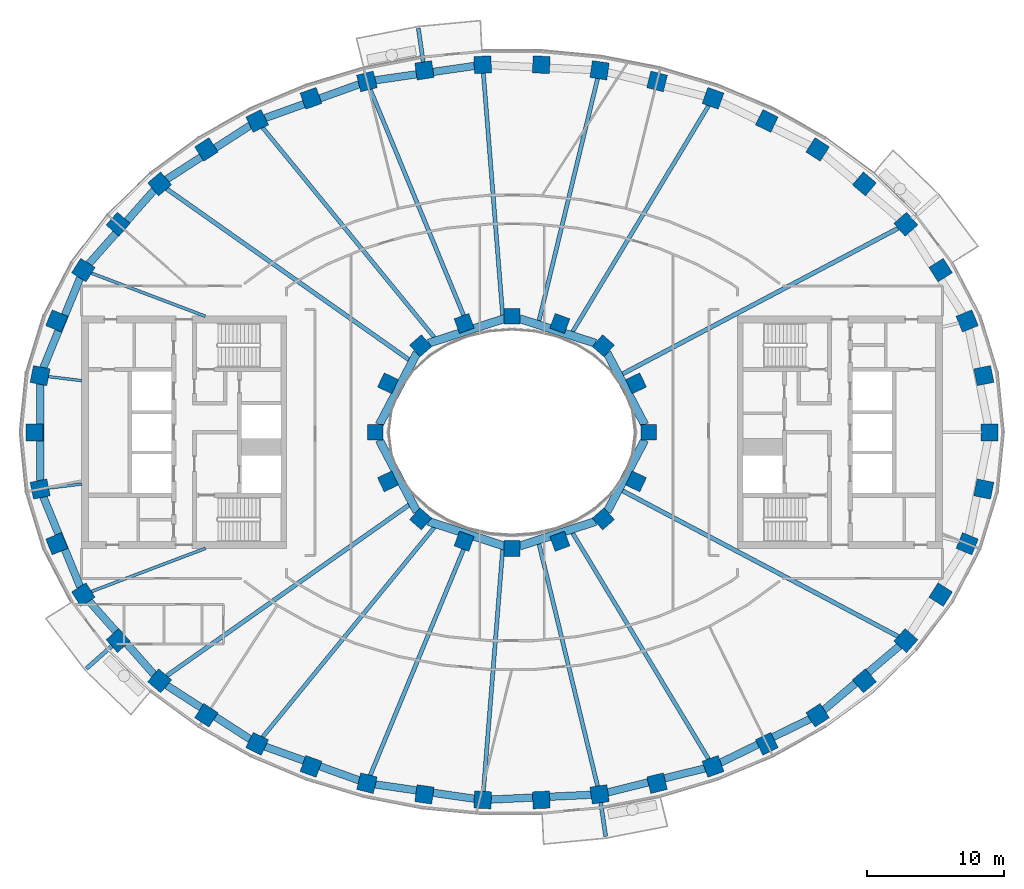
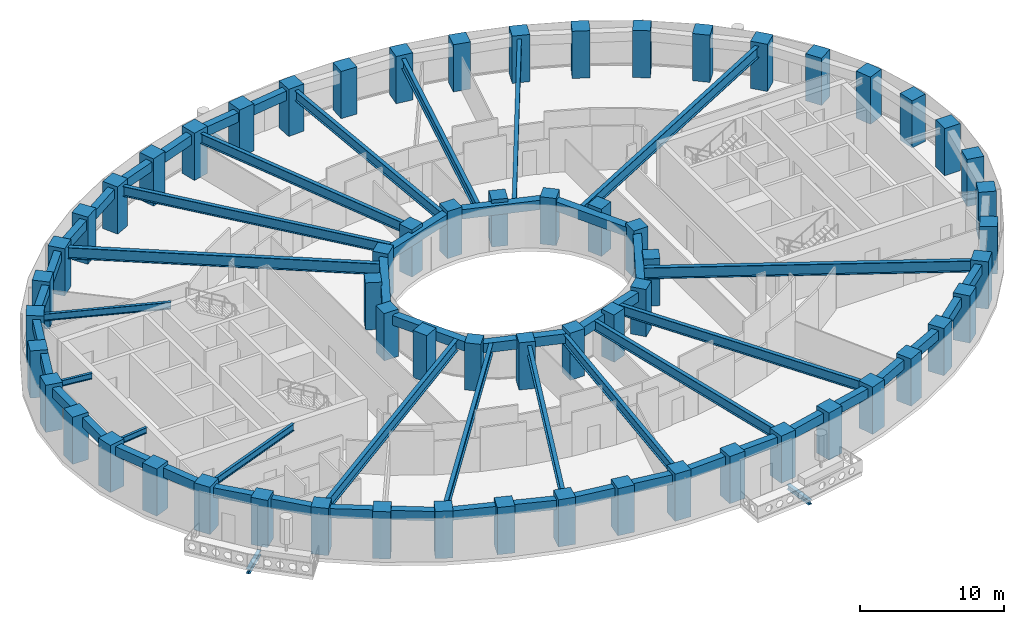
# One storey, part 1 of 16: 62 columns, 44 beams.
"""IFC4 building model written with IfcOpenShell, lengths in metres."""

import ifcopenshell
import ifcopenshell.guid

model = None  # the IFC model being written
_history = None  # IfcOwnerHistory: only IFC2X3 demands one
_inside = {}  # id of a spatial element -> (the spatial element, [elements in it])
_under = {}  # id of a project, library or spatial element -> (it, [spatial elements below it])
_declared = {}  # id of a project -> (the project, [libraries it declares])
_typed = {}  # id of a type object -> (the type object, [elements of that type])
_made_of = {}  # id of a material, layer set ... -> (it, [elements and type objects made of it])


def new_model(schema):
    """Start an empty IFC model of exactly this schema.

    Asked for "IFC4X3", IfcOpenShell would pick the latest addendum, in which some entities
    have other attributes; the version numbers below select the first issue.
    IFC2X3 requires an IfcOwnerHistory on every rooted entity: one is made here for all.
    """
    global model, _history
    if schema == "IFC4X3":
        model = ifcopenshell.file(schema_version=(4, 3, 0, 0))
    else:
        model = ifcopenshell.file(schema=schema)
    _inside.clear()
    _under.clear()
    _declared.clear()
    _typed.clear()
    _made_of.clear()
    _history = None
    if model.schema == "IFC2X3":
        org = make("IfcOrganization", Name="unknown")
        user = make(
            "IfcPersonAndOrganization",
            ThePerson=make("IfcPerson", FamilyName="unknown"),
            TheOrganization=org,
        )
        app = make(
            "IfcApplication",
            ApplicationDeveloper=org,
            Version="unknown",
            ApplicationFullName="unknown",
            ApplicationIdentifier="unknown",
        )
        _history = make(
            "IfcOwnerHistory",
            OwningUser=user,
            OwningApplication=app,
            ChangeAction="ADDED",
            CreationDate=0,
        )
    return model


def make(cls, **values):
    """One entity of the class cls with the attributes given. An attribute that is None is left unset."""
    return model.create_entity(
        cls, **{name: value for name, value in values.items() if value is not None}
    )


def rooted(cls, **values):
    """An entity with a GlobalId (a new one), such as an element, a storey or a relation."""
    return make(cls, GlobalId=ifcopenshell.guid.new(), OwnerHistory=_history, **values)


def si_unit(unit_type, name, prefix=None):
    """IfcSIUnit, for example si_unit("LENGTHUNIT", "METRE", prefix="MILLI")."""
    return make("IfcSIUnit", UnitType=unit_type, Prefix=prefix, Name=name)


def assignment(units):
    """IfcUnitAssignment: the units of a project."""
    return None if units is None else make("IfcUnitAssignment", Units=units)


def point(xyz):
    """IfcCartesianPoint."""
    return None if xyz is None else make("IfcCartesianPoint", Coordinates=xyz)


def direction(xyz):
    """IfcDirection."""
    return None if xyz is None else make("IfcDirection", DirectionRatios=xyz)


def frame(location, z_axis=None, x_axis=None):
    """IfcAxis2Placement3D, a coordinate frame: its origin and axes. An axis left out is left unset."""
    return make(
        "IfcAxis2Placement3D",
        Location=point(location),
        Axis=direction(z_axis),
        RefDirection=direction(x_axis),
    )


def frame_2d(location, x_axis=None):
    """IfcAxis2Placement2D, a coordinate frame in the plane: its origin and x axis."""
    return make(
        "IfcAxis2Placement2D", Location=point(location), RefDirection=direction(x_axis)
    )


def origin():
    """The frame at (0, 0, 0) with its axes left unset."""
    return frame((0.0, 0.0, 0.0))


def origin_2d():
    """The frame at (0, 0) in the plane with its x axis left unset."""
    return frame_2d((0.0, 0.0))


def place(relative_to, where):
    """IfcLocalPlacement: puts the frame where relative to a parent placement (None: the world)."""
    return make(
        "IfcLocalPlacement", PlacementRelTo=relative_to, RelativePlacement=where
    )


def context(
    kind, dimensions, precision=None, world=None, true_north=None, identifier=None
):
    """IfcGeometricRepresentationContext, for example the 3D "Model" context."""
    return make(
        "IfcGeometricRepresentationContext",
        ContextIdentifier=identifier,
        ContextType=kind,
        CoordinateSpaceDimension=dimensions,
        Precision=precision,
        WorldCoordinateSystem=world,
        TrueNorth=true_north,
    )


def subcontext(parent, identifier, kind, view, scale=None):
    """IfcGeometricRepresentationSubContext, for example "Body" below "Model"."""
    return make(
        "IfcGeometricRepresentationSubContext",
        ContextIdentifier=identifier,
        ContextType=kind,
        ParentContext=parent,
        TargetScale=scale,
        TargetView=view,
    )


def project(units=None, contexts=None):
    """IfcProject with its units and contexts."""
    return rooted(
        "IfcProject",
        Name="project",
        RepresentationContexts=contexts,
        UnitsInContext=assignment(units),
    )


def spatial(cls, under=None, at=None, **own):
    """A site, building, storey or space (cls), placed at a placement, below another one or the project."""
    s = rooted(cls, ObjectPlacement=at, **own)
    if under is not None:
        _under.setdefault(under.id(), (under, []))[1].append(s)
    return s


def profile(cls, at=None, kind="AREA", **sizes):
    """A parametric profile (cls). Its sizes go by their IFC names, for example OverallWidth=200.0."""
    return make(cls, ProfileType=kind, Position=at, **sizes)


def rectangle(**sizes):
    """IfcRectangleProfileDef."""
    return profile("IfcRectangleProfileDef", **sizes)


def i_section(**sizes):
    """IfcIShapeProfileDef."""
    return profile("IfcIShapeProfileDef", **sizes)


def extrude(swept, where, along, depth):
    """IfcExtrudedAreaSolid: the profile swept, set in the frame where, extruded along a direction by depth."""
    return make(
        "IfcExtrudedAreaSolid",
        SweptArea=swept,
        Position=where,
        ExtrudedDirection=direction(along),
        Depth=depth,
    )


def shape(context_of_items, identifier, shape_type, items):
    """IfcShapeRepresentation: the items that make up one representation, for example the "Body"."""
    return make(
        "IfcShapeRepresentation",
        ContextOfItems=context_of_items,
        RepresentationIdentifier=identifier,
        RepresentationType=shape_type,
        Items=items,
    )


def material(Name=None, Category=None):
    """IfcMaterial."""
    return make("IfcMaterial", Name=Name, Category=Category)


def material_profile(
    of_material, cross_section, Name=None, Category=None, Priority=None
):
    """IfcMaterialProfile: a cross section and its material."""
    return make(
        "IfcMaterialProfile",
        Name=Name,
        Material=of_material,
        Profile=cross_section,
        Priority=Priority,
        Category=Category,
    )


def profile_set(profiles, Name=None, composite=None):
    """IfcMaterialProfileSet."""
    return make(
        "IfcMaterialProfileSet",
        Name=Name,
        MaterialProfiles=profiles,
        CompositeProfile=composite,
    )


def made_of(thing, what):
    """Note that an element or type object is made of a material, layer set ...; save() writes the relation."""
    if what is not None:
        _made_of.setdefault(what.id(), (what, []))[1].append(thing)
    return thing


def type_object(cls, material=None, **own):
    """A type object (cls), such as IfcWallType, which elements share."""
    return made_of(rooted(cls, **own), material)


def element(
    cls,
    number,
    at=None,
    inside=None,
    cuts=None,
    type_object=None,
    material=None,
    context=None,
    identifier="Body",
    shape_type=None,
    held_by="IfcProductDefinitionShape",
    body=None,
    shapes=None,
    **own,
):
    """One element of the class cls, such as IfcWall. Its Tag is "e" and its number.

    at: its placement. inside: the storey or other place that contains it. cuts: it is an
    opening in that element (IfcRelVoidsElement). A single representation is given by context,
    identifier, shape_type and body (its items); several are given by shapes. held_by: the class
    of the entity that holds the representations. save() writes the other relations.
    """
    e = rooted(cls, Tag="e%d" % number, ObjectPlacement=at, **own)
    if body is not None:
        shapes = [shape(context, identifier, shape_type, body)]
    if shapes is not None:
        e.Representation = make(held_by, Representations=shapes)
    if inside is not None:
        _inside.setdefault(inside.id(), (inside, []))[1].append(e)
    if cuts is not None:
        rooted(
            "IfcRelVoidsElement", RelatingBuildingElement=cuts, RelatedOpeningElement=e
        )
    if type_object is not None:
        _typed.setdefault(type_object.id(), (type_object, []))[1].append(e)
    return made_of(e, material)


def aggregate(whole, parts):
    """IfcRelAggregates: a whole, such as a stair, and the parts it consists of."""
    return rooted("IfcRelAggregates", RelatingObject=whole, RelatedObjects=parts)


def save(model, path):
    """Write the relations noted so far, then the file.

    IfcRelAggregates (storeys below a building ...), IfcRelContainedInSpatialStructure (elements
    in a storey), IfcRelDefinesByType, IfcRelAssociatesMaterial and IfcRelDeclares: one each for
    every whole, place, type object, material and project.
    """
    for whole, parts in _under.values():
        aggregate(whole, parts)
    for where, things in _inside.values():
        rooted(
            "IfcRelContainedInSpatialStructure",
            RelatedElements=things,
            RelatingStructure=where,
        )
    for kind, things in _typed.values():
        rooted("IfcRelDefinesByType", RelatedObjects=things, RelatingType=kind)
    for what, things in _made_of.values():
        rooted("IfcRelAssociatesMaterial", RelatedObjects=things, RelatingMaterial=what)
    for by, libraries in _declared.values():
        rooted("IfcRelDeclares", RelatingContext=by, RelatedDefinitions=libraries)
    model.write(path)


model = new_model("IFC4")

# Units and contexts
model_context = context("Model", 3, precision=1e-05, world=origin(), true_north=direction((0.0, 1.0)))
body_context = subcontext(model_context, "Body", "Model", "MODEL_VIEW")
ifc_project = project(units=[si_unit("LENGTHUNIT", "METRE"), si_unit("AREAUNIT", "SQUARE_METRE"), si_unit("VOLUMEUNIT", "CUBIC_METRE"), si_unit("PLANEANGLEUNIT", "RADIAN"), si_unit("MASSUNIT", "GRAM", prefix="KILO")], contexts=[model_context])

# Site, building, storey
site_placement = place(None, origin())
site = spatial("IfcSite", under=ifc_project, at=site_placement, CompositionType="ELEMENT")
building_placement = place(site_placement, origin())
building = spatial("IfcBuilding", under=site, at=building_placement, Name="Noorbagh Ring Tower", CompositionType="ELEMENT")
storey_placement = place(building_placement, frame((0.0, 0.0, 132.0)))
storey = spatial("IfcBuildingStorey", under=building, at=storey_placement, Name="L30", CompositionType="ELEMENT", Elevation=132.0)

# Columns
ifc_material_1 = material(Name="Concrete C60/75", Category="concrete")
ifc_material_profile_1 = material_profile(ifc_material_1, rectangle(XDim=1.25, YDim=1.25, at=origin_2d()), Name="RC1250x1250")
ifc_profile_set_1 = profile_set([ifc_material_profile_1], Name="Concrete C60/75")
column_type_1 = type_object("IfcColumnType", Name="STR-COL-RC1250x1250-C60-75", PredefinedType="COLUMN", material=ifc_profile_set_1)
for number, where, z_axis, x_axis, name in (
    (1, (34.944580078125, 0.0, 0.0), (0.0, 0.0, 1.0), (0.0, 1.0, 0.0), "L30/col/R1-01"),
    (2, (34.52685546875, 4.150634765625, 0.0), (0.0, 0.0, 1.0), (-0.19723040178, 0.9803571638, 0.0), "L30/col/R1-02"),
    (3, (33.30517578125, 8.1494140625, 0.0), (0.0, 0.0, 1.0), (-0.378989499959, 0.925400971969, 0.0), "L30/col/R1-03"),
    (4, (31.364990234375, 11.87109375, 0.0), (0.0, 0.0, 1.0), (-0.535190403059, 0.844731455833, 0.0), "L30/col/R1-04"),
    (5, (28.81884765625, 15.23046875, 0.0), (0.0, 0.0, 1.0), (-0.662635642662, 0.748941923699, 0.0), "L30/col/R1-05"),
    (6, (25.78271484375, 18.180419921875, 0.0), (0.0, 0.0, 1.0), (-0.763035199656, 0.646356932419, 0.0), "L30/col/R1-06"),
    (7, (22.362060546875, 20.699951171875, 0.0), (0.0, 0.0, 1.0), (-0.840247639643, 0.542202825586, 0.0), "L30/col/R1-07"),
    (8, (18.646240234375, 22.785400390625, 0.0), (0.0, 0.0, 1.0), (-0.898399080868, 0.439180021741, 0.0), "L30/col/R1-08"),
    (9, (14.70947265625, 24.44091796875, 0.0), (0.0, 0.0, 1.0), (-0.941024726094, 0.338337797003, 0.0), "L30/col/R1-09"),
    (10, (10.61328125, 25.673583984375, 0.0), (0.0, 0.0, 1.0), (-0.970829360981, 0.239771457553, 0.0), "L30/col/R1-10"),
    (11, (6.4091796875, 26.49072265625, 0.0), (0.0, 0.0, 1.0), (-0.989713114048, 0.143066249975, 0.0), "L30/col/R1-11"),
    (12, (2.14306640625, 26.89794921875, 0.0), (0.0, 0.0, 1.0), (-0.998868731212, 0.047552684538, 0.0), "L30/col/R1-12"),
    (13, (-2.14306640625, 26.89794921875, 0.0), (0.0, 0.0, 1.0), (-0.998868731212, -0.047552684538, 0.0), "L30/col/R1-13"),
    (14, (-6.4091796875, 26.49072265625, 0.0), (0.0, 0.0, 1.0), (-0.989713114048, -0.143066249975, 0.0), "L30/col/R1-14"),
    (15, (-10.61328125, 25.673583984375, 0.0), (0.0, 0.0, 1.0), (-0.970829360981, -0.239771457553, 0.0), "L30/col/R1-15"),
    (16, (-14.70947265625, 24.44091796875, 0.0), (0.0, 0.0, 1.0), (-0.941024726094, -0.338337797003, 0.0), "L30/col/R1-16"),
    (17, (-18.646240234375, 22.785400390625, 0.0), (0.0, 0.0, 1.0), (-0.898399080868, -0.439180021741, 0.0), "L30/col/R1-17"),
    (18, (-22.362060546875, 20.699951171875, 0.0), (0.0, 0.0, 1.0), (-0.840247639643, -0.542202825586, 0.0), "L30/col/R1-18"),
    (19, (-25.78271484375, 18.180419921875, 0.0), (0.0, 0.0, 1.0), (-0.763035199656, -0.646356932419, 0.0), "L30/col/R1-19"),
    (20, (-28.81884765625, 15.23046875, 0.0), (0.0, 0.0, 1.0), (-0.662635642662, -0.748941923699, 0.0), "L30/col/R1-20"),
    (21, (-31.364990234375, 11.87109375, 0.0), (0.0, 0.0, 1.0), (-0.535190403059, -0.844731455833, 0.0), "L30/col/R1-21"),
    (22, (-33.30517578125, 8.1494140625, 0.0), (0.0, 0.0, 1.0), (-0.378989499959, -0.925400971969, 0.0), "L30/col/R1-22"),
    (23, (-34.52685546875, 4.150634765625, 0.0), (0.0, 0.0, 1.0), (-0.19723040178, -0.9803571638, 0.0), "L30/col/R1-23"),
    (24, (-34.944580078125, 0.0, 0.0), (0.0, 0.0, 1.0), (0.0, -1.0, 0.0), "L30/col/R1-24"),
    (25, (-34.52685546875, -4.150634765625, 0.0), (0.0, 0.0, 1.0), (0.19723040178, -0.9803571638, 0.0), "L30/col/R1-25"),
    (26, (-33.30517578125, -8.1494140625, 0.0), (0.0, 0.0, 1.0), (0.378989499959, -0.925400971969, 0.0), "L30/col/R1-26"),
    (27, (-31.364990234375, -11.87109375, 0.0), (0.0, 0.0, 1.0), (0.535190403059, -0.844731455833, 0.0), "L30/col/R1-27"),
    (28, (-28.81884765625, -15.23046875, 0.0), (0.0, 0.0, 1.0), (0.662635642662, -0.748941923699, 0.0), "L30/col/R1-28"),
    (29, (-25.78271484375, -18.180419921875, 0.0), (0.0, 0.0, 1.0), (0.763035199656, -0.646356932419, 0.0), "L30/col/R1-29"),
    (30, (-22.362060546875, -20.699951171875, 0.0), (0.0, 0.0, 1.0), (0.840247639643, -0.542202825586, 0.0), "L30/col/R1-30"),
    (31, (-18.646240234375, -22.785400390625, 0.0), (0.0, 0.0, 1.0), (0.898399080868, -0.439180021741, 0.0), "L30/col/R1-31"),
    (32, (-14.70947265625, -24.44091796875, 0.0), (0.0, 0.0, 1.0), (0.941024726094, -0.338337797003, 0.0), "L30/col/R1-32"),
    (33, (-10.61328125, -25.673583984375, 0.0), (0.0, 0.0, 1.0), (0.970829360981, -0.239771457553, 0.0), "L30/col/R1-33"),
    (34, (-6.4091796875, -26.49072265625, 0.0), (0.0, 0.0, 1.0), (0.989713114048, -0.143066249975, 0.0), "L30/col/R1-34"),
    (35, (-2.14306640625, -26.89794921875, 0.0), (0.0, 0.0, 1.0), (0.998868731212, -0.047552684538, 0.0), "L30/col/R1-35"),
    (36, (2.14306640625, -26.89794921875, 0.0), (0.0, 0.0, 1.0), (0.998868731212, 0.047552684538, 0.0), "L30/col/R1-36"),
    (37, (6.4091796875, -26.49072265625, 0.0), (0.0, 0.0, 1.0), (0.989713114048, 0.143066249975, 0.0), "L30/col/R1-37"),
    (38, (10.61328125, -25.673583984375, 0.0), (0.0, 0.0, 1.0), (0.970829360981, 0.239771457553, 0.0), "L30/col/R1-38"),
    (39, (14.70947265625, -24.44091796875, 0.0), (0.0, 0.0, 1.0), (0.941024726094, 0.338337797003, 0.0), "L30/col/R1-39"),
    (40, (18.646240234375, -22.785400390625, 0.0), (0.0, 0.0, 1.0), (0.898399080868, 0.439180021741, 0.0), "L30/col/R1-40"),
    (41, (22.362060546875, -20.699951171875, 0.0), (0.0, 0.0, 1.0), (0.840247639643, 0.542202825586, 0.0), "L30/col/R1-41"),
    (42, (25.78271484375, -18.180419921875, 0.0), (0.0, 0.0, 1.0), (0.763035199656, 0.646356932419, 0.0), "L30/col/R1-42"),
    (43, (28.81884765625, -15.23046875, 0.0), (0.0, 0.0, 1.0), (0.662635642662, 0.748941923699, 0.0), "L30/col/R1-43"),
    (44, (31.364990234375, -11.87109375, 0.0), (0.0, 0.0, 1.0), (0.535190403059, 0.844731455833, 0.0), "L30/col/R1-44"),
    (45, (33.30517578125, -8.1494140625, 0.0), (0.0, 0.0, 1.0), (0.378989499959, 0.925400971969, 0.0), "L30/col/R1-45"),
    (46, (34.52685546875, -4.150634765625, 0.0), (0.0, 0.0, 1.0), (0.19723040178, 0.9803571638, 0.0), "L30/col/R1-46"),
):
    element("IfcColumn", number, at=place(storey_placement, frame(where, z_axis=z_axis, x_axis=x_axis)), inside=storey, type_object=column_type_1, Name=name, PredefinedType="COLUMN", context=body_context, shape_type="SweptSolid", body=[
        extrude(rectangle(XDim=1.25, YDim=1.25, at=origin_2d()), origin(), (0.0, 0.0, 1.0), 4.0),
    ])
ifc_material_2 = material(Name="Concrete C60/75", Category="concrete")
ifc_material_profile_2 = material_profile(ifc_material_2, rectangle(XDim=1.14990234375, YDim=1.14990234375, at=origin_2d()), Name="RC1150x1150")
ifc_profile_set_2 = profile_set([ifc_material_profile_2], Name="Concrete C60/75")
column_type_2 = type_object("IfcColumnType", Name="STR-ICOL-RC1150x1150-C60-75", PredefinedType="COLUMN", material=ifc_profile_set_2)
for number, where, z_axis, x_axis, name in (
    (47, (10.00830078125, 0.0, 0.0), (0.0, 0.0, 1.0), (0.0, 1.0, 0.0), "L30/col/IR2-W01"),
    (48, (9.07568359375, 3.58837890625, 0.0), (0.0, 0.0, 1.0), (-0.428666979171, 0.903462573087, 0.0), "L30/col/IR2-W03"),
    (49, (6.68212890625, 6.333740234375, 0.0), (0.0, 0.0, 1.0), (-0.75102249095, 0.660276622399, 0.0), "L30/col/IR2-W05"),
    (50, (3.5009765625, 7.967041015625, 0.0), (0.0, 0.0, 1.0), (-0.939019578916, 0.343863679984, 0.0), "L30/col/IR2-W07"),
    (51, (0.0, 8.5029296875, 0.0), (0.0, 0.0, 1.0), (-1.0, 0.0, 0.0), "L30/col/IR2-W09"),
    (52, (-3.5009765625, 7.967041015625, 0.0), (0.0, 0.0, 1.0), (-0.939019578916, -0.343863679984, 0.0), "L30/col/IR2-W11"),
    (53, (-6.68212890625, 6.333740234375, 0.0), (0.0, 0.0, 1.0), (-0.75102249095, -0.660276622399, 0.0), "L30/col/IR2-W13"),
    (54, (-9.07568359375, 3.58837890625, 0.0), (0.0, 0.0, 1.0), (-0.428666979171, -0.903462573087, 0.0), "L30/col/IR2-W15"),
    (55, (-10.00830078125, 0.0, 0.0), (0.0, 0.0, 1.0), (0.0, -1.0, 0.0), "L30/col/IR2-W17"),
    (56, (-9.07568359375, -3.58837890625, 0.0), (0.0, 0.0, 1.0), (0.428666979171, -0.903462573087, 0.0), "L30/col/IR2-W19"),
    (57, (-6.68212890625, -6.333740234375, 0.0), (0.0, 0.0, 1.0), (0.75102249095, -0.660276622399, 0.0), "L30/col/IR2-W21"),
    (58, (-3.5009765625, -7.967041015625, 0.0), (0.0, 0.0, 1.0), (0.939019578916, -0.343863679984, 0.0), "L30/col/IR2-W23"),
    (59, (0.0, -8.5029296875, 0.0), (0.0, 0.0, 1.0), (1.0, 0.0, 0.0), "L30/col/IR2-W25"),
    (60, (3.5009765625, -7.967041015625, 0.0), (0.0, 0.0, 1.0), (0.939019578916, 0.343863679984, 0.0), "L30/col/IR2-W27"),
    (61, (6.68212890625, -6.333740234375, 0.0), (0.0, 0.0, 1.0), (0.75102249095, 0.660276622399, 0.0), "L30/col/IR2-W29"),
    (62, (9.07568359375, -3.58837890625, 0.0), (0.0, 0.0, 1.0), (0.428666979171, 0.903462573087, 0.0), "L30/col/IR2-W31"),
):
    element("IfcColumn", number, at=place(storey_placement, frame(where, z_axis=z_axis, x_axis=x_axis)), inside=storey, type_object=column_type_2, Name=name, PredefinedType="COLUMN", context=body_context, shape_type="SweptSolid", body=[
        extrude(rectangle(XDim=1.14990234375, YDim=1.14990234375, at=origin_2d()), origin(), (0.0, 0.0, 1.0), 4.0),
    ])

# Beams
ifc_material_3 = material(Name="Steel S355", Category="steel")
ifc_material_profile_3 = material_profile(ifc_material_3, i_section(OverallWidth=0.300048828125, OverallDepth=0.39990234375, WebThickness=0.013427734375, FlangeThickness=0.02392578125, FilletRadius=0.027099609375, at=origin_2d()), Name="HEB400")
ifc_profile_set_3 = profile_set([ifc_material_profile_3], Name="Steel S355")
beam_type_1 = type_object("IfcBeamType", Name="STR-BALCONY-BRACKET-HEB400", PredefinedType="BEAM", material=ifc_profile_set_3)
beam_1_placement = place(storey_placement, frame((-6.495849609375, 27.089599609375, -0.5), z_axis=(-0.143035199344, 0.98971760202, 0.0), x_axis=(-0.98971760202, -0.143035199344, 0.0)))
element("IfcBeam", 63, at=beam_1_placement, inside=storey, type_object=beam_type_1, Name="Balcony bracket beam BN04", PredefinedType="BEAM", context=body_context, shape_type="SweptSolid", body=[
    extrude(i_section(OverallWidth=0.300048828125, OverallDepth=0.39990234375, WebThickness=0.013427734375, FlangeThickness=0.02392578125, FilletRadius=0.027099609375, at=origin_2d()), origin(), (0.0, 0.0, 1.0), 2.498779296875),
])
beam_2_placement = place(storey_placement, frame((-29.27197265625, -15.63134765625, -0.5), z_axis=(-0.749063543205, -0.662498157161, 0.0), x_axis=(0.662498157161, -0.749063543205, 0.0)))
element("IfcBeam", 64, at=beam_2_placement, inside=storey, type_object=beam_type_1, Name="Balcony bracket beam BS01", PredefinedType="BEAM", context=body_context, shape_type="SweptSolid", body=[
    extrude(i_section(OverallWidth=0.300048828125, OverallDepth=0.39990234375, WebThickness=0.013427734375, FlangeThickness=0.02392578125, FilletRadius=0.027099609375, at=origin_2d()), origin(), (0.0, 0.0, 1.0), 2.50439453125),
])
beam_3_placement = place(storey_placement, frame((6.495849609375, -27.089599609375, -0.5), z_axis=(0.143035199344, -0.98971760202, 0.0), x_axis=(0.98971760202, 0.143035199344, 0.0)))
element("IfcBeam", 65, at=beam_3_placement, inside=storey, type_object=beam_type_1, Name="Balcony bracket beam BS04", PredefinedType="BEAM", context=body_context, shape_type="SweptSolid", body=[
    extrude(i_section(OverallWidth=0.300048828125, OverallDepth=0.39990234375, WebThickness=0.013427734375, FlangeThickness=0.02392578125, FilletRadius=0.027099609375, at=origin_2d()), origin(), (0.0, 0.0, 1.0), 2.498779296875),
])
ifc_material_4 = material(Name="Steel S355", Category="steel")
ifc_material_profile_4 = material_profile(ifc_material_4, i_section(OverallWidth=0.199951171875, OverallDepth=0.5, WebThickness=0.01025390625, FlangeThickness=0.01611328125, FilletRadius=0.02099609375, at=origin_2d()), Name="IPE500")
ifc_profile_set_4 = profile_set([ifc_material_profile_4], Name="Steel S355")
beam_type_2 = type_object("IfcBeamType", Name="STR-RAD-IPE500", PredefinedType="BEAM", material=ifc_profile_set_4)
for number, where, z_axis, x_axis, name in (
    (66, (-33.924072265625, 4.078125, 3.449951171875), (0.992855702759, -0.119321219822, 0.0), (0.119321219822, 0.992855702759, 0.0), "L30/bm/RD23"),
    (67, (-33.924072265625, -4.078125, 3.449951171875), (0.992855702759, 0.119321219822, 0.0), (-0.119321219822, 0.992855702759, 0.0), "L30/bm/RD25"),
):
    element("IfcBeam", number, at=place(storey_placement, frame(where, z_axis=z_axis, x_axis=x_axis)), inside=storey, type_object=beam_type_2, Name=name, PredefinedType="BEAM", context=body_context, shape_type="SweptSolid", body=[
        extrude(i_section(OverallWidth=0.199951171875, OverallDepth=0.5, WebThickness=0.01025390625, FlangeThickness=0.01611328125, FilletRadius=0.02099609375, at=origin_2d()), origin(), (0.0, 0.0, 1.0), 2.46142578125),
    ])
ifc_material_5 = material(Name="Steel S355", Category="steel")
ifc_material_profile_5 = material_profile(ifc_material_5, i_section(OverallWidth=0.219970703125, OverallDepth=0.60009765625, WebThickness=0.011962890625, FlangeThickness=0.01904296875, FilletRadius=0.02392578125, at=origin_2d()), Name="IPE600")
ifc_profile_set_5 = profile_set([ifc_material_profile_5], Name="Steel S355")
beam_type_3 = type_object("IfcBeamType", Name="STR-RAD-IPE600", PredefinedType="BEAM", material=ifc_profile_set_5)
for number, where, z_axis, x_axis, name in (
    (68, (-30.786865234375, 11.652099609375, 3.39990234375), (0.935256889456, -0.353969703117, 0.0), (0.353969703117, 0.935256889456, 0.0), "L30/bm/RD21"),
    (69, (-30.786865234375, -11.652099609375, 3.39990234375), (0.935256889456, 0.353969703117, 0.0), (-0.353969703117, 0.935256889456, 0.0), "L30/bm/RD27"),
):
    element("IfcBeam", number, at=place(storey_placement, frame(where, z_axis=z_axis, x_axis=x_axis)), inside=storey, type_object=beam_type_3, Name=name, PredefinedType="BEAM", context=body_context, shape_type="SweptSolid", body=[
        extrude(i_section(OverallWidth=0.219970703125, OverallDepth=0.60009765625, WebThickness=0.011962890625, FlangeThickness=0.01904296875, FilletRadius=0.02392578125, at=origin_2d()), origin(), (0.0, 0.0, 1.0), 8.925048828125),
    ])
ifc_material_6 = material(Name="Steel S355", Category="steel")
ifc_material_profile_6 = material_profile(ifc_material_6, i_section(OverallWidth=0.300048828125, OverallDepth=0.85009765625, WebThickness=0.013916015625, FlangeThickness=0.028076171875, at=origin_2d()), Name="PG850x300x14x28")
ifc_profile_set_6 = profile_set([ifc_material_profile_6], Name="Steel S355")
beam_type_4 = type_object("IfcBeamType", Name="STR-RAD-PG850x300x14x28", PredefinedType="BEAM", material=ifc_profile_set_6)
beam_4_placement = place(storey_placement, frame((14.39111328125, 23.912109375, 3.27490234375), z_axis=(-0.515649393851, -0.856799686403, 0.0), x_axis=(0.856799686403, -0.515649393851, 0.0)))
element("IfcBeam", 70, at=beam_4_placement, inside=storey, type_object=beam_type_4, Name="L30/bm/RD09", PredefinedType="BEAM", context=body_context, shape_type="SweptSolid", body=[
    extrude(i_section(OverallWidth=0.300048828125, OverallDepth=0.85009765625, WebThickness=0.013916015625, FlangeThickness=0.028076171875, at=origin_2d()), origin(), (0.0, 0.0, 1.0), 19.318603515625),
])
beam_5_placement = place(storey_placement, frame((6.266357421875, 25.900146484375, 3.27490234375), z_axis=(-0.235162116431, -0.971956161046, 0.0), x_axis=(0.971956161046, -0.235162116431, 0.0)))
element("IfcBeam", 71, at=beam_5_placement, inside=storey, type_object=beam_type_4, Name="L30/bm/RD11", PredefinedType="BEAM", context=body_context, shape_type="SweptSolid", body=[
    extrude(i_section(OverallWidth=0.300048828125, OverallDepth=0.85009765625, WebThickness=0.013916015625, FlangeThickness=0.028076171875, at=origin_2d()), origin(), (0.0, 0.0, 1.0), 18.25537109375),
])
beam_6_placement = place(storey_placement, frame((-2.09521484375, 26.294677734375, 3.27490234375), z_axis=(0.079430227558, -0.996840428027, 0.0), x_axis=(0.996840428027, 0.079430227558, 0.0)))
element("IfcBeam", 72, at=beam_6_placement, inside=storey, type_object=beam_type_4, Name="L30/bm/RD13", PredefinedType="BEAM", context=body_context, shape_type="SweptSolid", body=[
    extrude(i_section(OverallWidth=0.300048828125, OverallDepth=0.85009765625, WebThickness=0.013916015625, FlangeThickness=0.028076171875, at=origin_2d()), origin(), (0.0, 0.0, 1.0), 17.77490234375),
])
beam_7_placement = place(storey_placement, frame((-10.37939453125, 25.10791015625, 3.27490234375), z_axis=(0.382033251653, -0.924148578223, 0.0), x_axis=(0.924148578223, 0.382033251653, 0.0)))
element("IfcBeam", 73, at=beam_7_placement, inside=storey, type_object=beam_type_4, Name="L30/bm/RD15", PredefinedType="BEAM", context=body_context, shape_type="SweptSolid", body=[
    extrude(i_section(OverallWidth=0.300048828125, OverallDepth=0.85009765625, WebThickness=0.013916015625, FlangeThickness=0.028076171875, at=origin_2d()), origin(), (0.0, 0.0, 1.0), 18.775390625),
])
for number, where, z_axis, x_axis, name in (
    (74, (-18.252197265625, 22.303955078125, 3.27490234375), (0.633304807385, -0.773902462163, 0.0), (0.773902462163, 0.633304807385, 0.0), "L30/bm/RD17"),
    (75, (-18.252197265625, -22.303955078125, 3.27490234375), (0.633304807385, 0.773902462163, 0.0), (-0.773902462163, 0.633304807385, 0.0), "L30/bm/RD31"),
):
    element("IfcBeam", number, at=place(storey_placement, frame(where, z_axis=z_axis, x_axis=x_axis)), inside=storey, type_object=beam_type_4, Name=name, PredefinedType="BEAM", context=body_context, shape_type="SweptSolid", body=[
        extrude(i_section(OverallWidth=0.300048828125, OverallDepth=0.85009765625, WebThickness=0.013916015625, FlangeThickness=0.028076171875, at=origin_2d()), origin(), (0.0, 0.0, 1.0), 19.837158203125),
    ])
beam_8_placement = place(storey_placement, frame((-10.37939453125, -25.10791015625, 3.27490234375), z_axis=(0.382033251653, 0.924148578223, 0.0), x_axis=(-0.924148578223, 0.382033251653, 0.0)))
element("IfcBeam", 76, at=beam_8_placement, inside=storey, type_object=beam_type_4, Name="L30/bm/RD33", PredefinedType="BEAM", context=body_context, shape_type="SweptSolid", body=[
    extrude(i_section(OverallWidth=0.300048828125, OverallDepth=0.85009765625, WebThickness=0.013916015625, FlangeThickness=0.028076171875, at=origin_2d()), origin(), (0.0, 0.0, 1.0), 18.775390625),
])
beam_9_placement = place(storey_placement, frame((-2.09521484375, -26.294677734375, 3.27490234375), z_axis=(0.079430227558, 0.996840428027, 0.0), x_axis=(-0.996840428027, 0.079430227558, 0.0)))
element("IfcBeam", 77, at=beam_9_placement, inside=storey, type_object=beam_type_4, Name="L30/bm/RD35", PredefinedType="BEAM", context=body_context, shape_type="SweptSolid", body=[
    extrude(i_section(OverallWidth=0.300048828125, OverallDepth=0.85009765625, WebThickness=0.013916015625, FlangeThickness=0.028076171875, at=origin_2d()), origin(), (0.0, 0.0, 1.0), 17.77490234375),
])
beam_10_placement = place(storey_placement, frame((6.266357421875, -25.900146484375, 3.27490234375), z_axis=(-0.235162116431, 0.971956161046, 0.0), x_axis=(-0.971956161046, -0.235162116431, 0.0)))
element("IfcBeam", 78, at=beam_10_placement, inside=storey, type_object=beam_type_4, Name="L30/bm/RD37", PredefinedType="BEAM", context=body_context, shape_type="SweptSolid", body=[
    extrude(i_section(OverallWidth=0.300048828125, OverallDepth=0.85009765625, WebThickness=0.013916015625, FlangeThickness=0.028076171875, at=origin_2d()), origin(), (0.0, 0.0, 1.0), 18.25537109375),
])
beam_11_placement = place(storey_placement, frame((14.39111328125, -23.912109375, 3.27490234375), z_axis=(-0.515649393851, 0.856799686403, 0.0), x_axis=(-0.856799686403, -0.515649393851, 0.0)))
element("IfcBeam", 79, at=beam_11_placement, inside=storey, type_object=beam_type_4, Name="L30/bm/RD39", PredefinedType="BEAM", context=body_context, shape_type="SweptSolid", body=[
    extrude(i_section(OverallWidth=0.300048828125, OverallDepth=0.85009765625, WebThickness=0.013916015625, FlangeThickness=0.028076171875, at=origin_2d()), origin(), (0.0, 0.0, 1.0), 19.318603515625),
])
ifc_material_7 = material(Name="Steel S355", Category="steel")
ifc_material_profile_7 = material_profile(ifc_material_7, i_section(OverallWidth=0.320068359375, OverallDepth=0.949951171875, WebThickness=0.01611328125, FlangeThickness=0.030029296875, at=origin_2d()), Name="PG950x320x16x30")
ifc_profile_set_7 = profile_set([ifc_material_profile_7], Name="Steel S355")
beam_type_5 = type_object("IfcBeamType", Name="STR-RAD-PG950x320x16x30", PredefinedType="BEAM", material=ifc_profile_set_7)
beam_12_placement = place(storey_placement, frame((28.267822265625, 14.939453125, 3.22509765625), z_axis=(-0.884118542568, -0.467262669906, 0.0), x_axis=(0.467262669906, -0.884118542568, 0.0)))
element("IfcBeam", 80, at=beam_12_placement, inside=storey, type_object=beam_type_5, Name="L30/bm/RD05", PredefinedType="BEAM", context=body_context, shape_type="SweptSolid", body=[
    extrude(i_section(OverallWidth=0.320068359375, OverallDepth=0.949951171875, WebThickness=0.01611328125, FlangeThickness=0.030029296875, at=origin_2d()), origin(), (0.0, 0.0, 1.0), 22.831787109375),
])
for number, where, z_axis, x_axis, name in (
    (81, (-25.271484375, 17.81982421875, 3.22509765625), (0.817255824505, -0.57627503617, 0.0), (0.57627503617, 0.817255824505, 0.0), "L30/bm/RD19"),
    (82, (-25.271484375, -17.81982421875, 3.22509765625), (0.817255824505, 0.57627503617, 0.0), (-0.57627503617, 0.817255824505, 0.0), "L30/bm/RD29"),
):
    element("IfcBeam", number, at=place(storey_placement, frame(where, z_axis=z_axis, x_axis=x_axis)), inside=storey, type_object=beam_type_5, Name=name, PredefinedType="BEAM", context=body_context, shape_type="SweptSolid", body=[
        extrude(i_section(OverallWidth=0.320068359375, OverallDepth=0.949951171875, WebThickness=0.01611328125, FlangeThickness=0.030029296875, at=origin_2d()), origin(), (0.0, 0.0, 1.0), 21.702880859375),
    ])
beam_13_placement = place(storey_placement, frame((28.267822265625, -14.939453125, 3.22509765625), z_axis=(-0.884118542568, 0.467262669906, 0.0), x_axis=(-0.467262669906, -0.884118542568, 0.0)))
element("IfcBeam", 83, at=beam_13_placement, inside=storey, type_object=beam_type_5, Name="L30/bm/RD43", PredefinedType="BEAM", context=body_context, shape_type="SweptSolid", body=[
    extrude(i_section(OverallWidth=0.320068359375, OverallDepth=0.949951171875, WebThickness=0.01611328125, FlangeThickness=0.030029296875, at=origin_2d()), origin(), (0.0, 0.0, 1.0), 22.831787109375),
])
ifc_material_8 = material(Name="Concrete C40/50", Category="concrete")
ifc_material_profile_8 = material_profile(ifc_material_8, rectangle(XDim=0.60009765625, YDim=0.800048828125, at=origin_2d()), Name="RC600x800")
ifc_profile_set_8 = profile_set([ifc_material_profile_8], Name="Concrete C40/50")
beam_type_6 = type_object("IfcBeamType", Name="STR-RB-RC600x800-C40-50", PredefinedType="BEAM", material=ifc_profile_set_8)
beam_14_placement = place(storey_placement, frame((9.7158203125, 0.557373046875, 3.300048828125), z_axis=(-0.464946878947, 0.885338579165, 0.0), x_axis=(-0.885338579165, -0.464946878947, 0.0)))
element("IfcBeam", 84, at=beam_14_placement, inside=storey, type_object=beam_type_6, Name="L30/bm/RG01", PredefinedType="BEAM", context=body_context, shape_type="SweptSolid", body=[
    extrude(rectangle(XDim=0.60009765625, YDim=0.800048828125, at=origin_2d()), origin(), (0.0, 0.0, 1.0), 5.9287109375),
])
for number, where, z_axis, x_axis, name in (
    (85, (6.10546875, 6.52099609375, 3.300048828125), (-0.951151772647, 0.308723671576, 0.0), (-0.308723671576, -0.951151772647, 0.0), "L30/bm/RG03"),
    (86, (-0.555908203125, 8.322265625, 3.300048828125), (-0.951151772647, -0.308723671576, 0.0), (0.308723671576, -0.951151772647, 0.0), "L30/bm/RG05"),
):
    element("IfcBeam", number, at=place(storey_placement, frame(where, z_axis=z_axis, x_axis=x_axis)), inside=storey, type_object=beam_type_6, Name=name, PredefinedType="BEAM", context=body_context, shape_type="SweptSolid", body=[
        extrude(rectangle(XDim=0.60009765625, YDim=0.800048828125, at=origin_2d()), origin(), (0.0, 0.0, 1.0), 5.83447265625),
    ])
for number, where, z_axis, x_axis, name in (
    (87, (-6.959228515625, 5.806396484375, 3.300048828125), (-0.464946878947, -0.885338579165, 0.0), (0.885338579165, -0.464946878947, 0.0), "L30/bm/RG07"),
    (88, (-9.7158203125, -0.557373046875, 3.300048828125), (0.464946878947, -0.885338579165, 0.0), (0.885338579165, 0.464946878947, 0.0), "L30/bm/RG09"),
):
    element("IfcBeam", number, at=place(storey_placement, frame(where, z_axis=z_axis, x_axis=x_axis)), inside=storey, type_object=beam_type_6, Name=name, PredefinedType="BEAM", context=body_context, shape_type="SweptSolid", body=[
        extrude(rectangle(XDim=0.60009765625, YDim=0.800048828125, at=origin_2d()), origin(), (0.0, 0.0, 1.0), 5.9287109375),
    ])
for number, where, z_axis, x_axis, name in (
    (89, (-6.10546875, -6.52099609375, 3.300048828125), (0.951151772647, -0.308723671576, 0.0), (0.308723671576, 0.951151772647, 0.0), "L30/bm/RG11"),
    (90, (0.555908203125, -8.322265625, 3.300048828125), (0.951151772647, 0.308723671576, 0.0), (-0.308723671576, 0.951151772647, 0.0), "L30/bm/RG13"),
):
    element("IfcBeam", number, at=place(storey_placement, frame(where, z_axis=z_axis, x_axis=x_axis)), inside=storey, type_object=beam_type_6, Name=name, PredefinedType="BEAM", context=body_context, shape_type="SweptSolid", body=[
        extrude(rectangle(XDim=0.60009765625, YDim=0.800048828125, at=origin_2d()), origin(), (0.0, 0.0, 1.0), 5.83447265625),
    ])
beam_15_placement = place(storey_placement, frame((6.959228515625, -5.806396484375, 3.300048828125), z_axis=(0.464946878947, 0.885338579165, 0.0), x_axis=(-0.885338579165, 0.464946878947, 0.0)))
element("IfcBeam", 91, at=beam_15_placement, inside=storey, type_object=beam_type_6, Name="L30/bm/RG15", PredefinedType="BEAM", context=body_context, shape_type="SweptSolid", body=[
    extrude(rectangle(XDim=0.60009765625, YDim=0.800048828125, at=origin_2d()), origin(), (0.0, 0.0, 1.0), 5.9287109375),
])
ifc_material_9 = material(Name="Concrete C40/50", Category="concrete")
ifc_material_profile_9 = material_profile(ifc_material_9, rectangle(XDim=0.550048828125, YDim=0.800048828125, at=origin_2d()), Name="RC550x800")
ifc_profile_set_9 = profile_set([ifc_material_profile_9], Name="Concrete C40/50")
beam_type_7 = type_object("IfcBeamType", Name="STR-SB-RC550x800-C40-50", PredefinedType="BEAM", material=ifc_profile_set_9)
beam_16_placement = place(storey_placement, frame((-2.744873046875, 26.81103515625, 3.300048828125), z_axis=(-0.989710679794, -0.143083088804, 0.0), x_axis=(0.143083088804, -0.989710679794, 0.0)))
element("IfcBeam", 92, at=beam_16_placement, inside=storey, type_object=beam_type_7, Name="L30/bm/SP13", PredefinedType="BEAM", context=body_context, shape_type="SweptSolid", body=[
    extrude(rectangle(XDim=0.550048828125, YDim=0.800048828125, at=origin_2d()), origin(), (0.0, 0.0, 1.0), 7.342041015625),
])
beam_17_placement = place(storey_placement, frame((-11.185546875, 25.4677734375, 3.300048828125), z_axis=(-0.941032743566, -0.33831549704, 0.0), x_axis=(0.33831549704, -0.941032743566, 0.0)))
element("IfcBeam", 93, at=beam_17_placement, inside=storey, type_object=beam_type_7, Name="L30/bm/SP15", PredefinedType="BEAM", context=body_context, shape_type="SweptSolid", body=[
    extrude(rectangle(XDim=0.550048828125, YDim=0.800048828125, at=origin_2d()), origin(), (0.0, 0.0, 1.0), 7.319580078125),
])
beam_18_placement = place(storey_placement, frame((-19.158447265625, 22.455078125, 3.300048828125), z_axis=(-0.840240413794, -0.542214023267, 0.0), x_axis=(0.542214023267, -0.840240413794, 0.0)))
element("IfcBeam", 94, at=beam_18_placement, inside=storey, type_object=beam_type_7, Name="L30/bm/SP17", PredefinedType="BEAM", context=body_context, shape_type="SweptSolid", body=[
    extrude(rectangle(XDim=0.550048828125, YDim=0.800048828125, at=origin_2d()), origin(), (0.0, 0.0, 1.0), 7.273681640625),
])
beam_19_placement = place(storey_placement, frame((-26.18798828125, 17.722412109375, 3.300048828125), z_axis=(-0.662621438295, -0.748954490948, 0.0), x_axis=(0.748954490948, -0.662621438295, 0.0)))
element("IfcBeam", 95, at=beam_19_placement, inside=storey, type_object=beam_type_7, Name="L30/bm/SP19", PredefinedType="BEAM", context=body_context, shape_type="SweptSolid", body=[
    extrude(rectangle(XDim=0.550048828125, YDim=0.800048828125, at=origin_2d()), origin(), (0.0, 0.0, 1.0), 7.19970703125),
])
beam_20_placement = place(storey_placement, frame((-31.597900390625, 11.302001953125, 3.300048828125), z_axis=(-0.379013796153, -0.925391021313, 0.0), x_axis=(0.925391021313, -0.379013796153, 0.0)))
element("IfcBeam", 96, at=beam_20_placement, inside=storey, type_object=beam_type_7, Name="L30/bm/SP21", PredefinedType="BEAM", context=body_context, shape_type="SweptSolid", body=[
    extrude(rectangle(XDim=0.550048828125, YDim=0.800048828125, at=origin_2d()), origin(), (0.0, 0.0, 1.0), 7.111328125),
])
beam_21_placement = place(storey_placement, frame((-34.52685546875, 3.533203125, 3.300048828125), z_axis=(0.0, -1.0, 0.0), x_axis=(1.0, 0.0, 0.0)))
element("IfcBeam", 97, at=beam_21_placement, inside=storey, type_object=beam_type_7, Name="L30/bm/SP23", PredefinedType="BEAM", context=body_context, shape_type="SweptSolid", body=[
    extrude(rectangle(XDim=0.550048828125, YDim=0.800048828125, at=origin_2d()), origin(), (0.0, 0.0, 1.0), 7.06640625),
])
beam_22_placement = place(storey_placement, frame((-34.293212890625, -4.72119140625, 3.300048828125), z_axis=(0.379013796153, -0.925391021313, 0.0), x_axis=(0.925391021313, 0.379013796153, 0.0)))
element("IfcBeam", 98, at=beam_22_placement, inside=storey, type_object=beam_type_7, Name="L30/bm/SP25", PredefinedType="BEAM", context=body_context, shape_type="SweptSolid", body=[
    extrude(rectangle(XDim=0.550048828125, YDim=0.800048828125, at=origin_2d()), origin(), (0.0, 0.0, 1.0), 7.111328125),
])
beam_23_placement = place(storey_placement, frame((-30.958740234375, -12.330078125, 3.300048828125), z_axis=(0.662621438295, -0.748954490948, 0.0), x_axis=(0.748954490948, 0.662621438295, 0.0)))
element("IfcBeam", 99, at=beam_23_placement, inside=storey, type_object=beam_type_7, Name="L30/bm/SP27", PredefinedType="BEAM", context=body_context, shape_type="SweptSolid", body=[
    extrude(rectangle(XDim=0.550048828125, YDim=0.800048828125, at=origin_2d()), origin(), (0.0, 0.0, 1.0), 7.19970703125),
])
beam_24_placement = place(storey_placement, frame((-25.27001953125, -18.51123046875, 3.300048828125), z_axis=(0.840240413794, -0.542214023267, 0.0), x_axis=(0.542214023267, 0.840240413794, 0.0)))
element("IfcBeam", 100, at=beam_24_placement, inside=storey, type_object=beam_type_7, Name="L30/bm/SP29", PredefinedType="BEAM", context=body_context, shape_type="SweptSolid", body=[
    extrude(rectangle(XDim=0.550048828125, YDim=0.800048828125, at=origin_2d()), origin(), (0.0, 0.0, 1.0), 7.273681640625),
])
beam_25_placement = place(storey_placement, frame((-18.073486328125, -22.991455078125, 3.300048828125), z_axis=(0.941032743566, -0.33831549704, 0.0), x_axis=(0.33831549704, 0.941032743566, 0.0)))
element("IfcBeam", 101, at=beam_25_placement, inside=storey, type_object=beam_type_7, Name="L30/bm/SP31", PredefinedType="BEAM", context=body_context, shape_type="SweptSolid", body=[
    extrude(rectangle(XDim=0.550048828125, YDim=0.800048828125, at=origin_2d()), origin(), (0.0, 0.0, 1.0), 7.319580078125),
])
beam_26_placement = place(storey_placement, frame((-10.011474609375, -25.760498046875, 3.300048828125), z_axis=(0.989710679794, -0.143083088804, 0.0), x_axis=(0.143083088804, 0.989710679794, 0.0)))
element("IfcBeam", 102, at=beam_26_placement, inside=storey, type_object=beam_type_7, Name="L30/bm/SP33", PredefinedType="BEAM", context=body_context, shape_type="SweptSolid", body=[
    extrude(rectangle(XDim=0.550048828125, YDim=0.800048828125, at=origin_2d()), origin(), (0.0, 0.0, 1.0), 7.342041015625),
])
beam_27_placement = place(storey_placement, frame((-1.5361328125, -26.869140625, 3.300048828125), z_axis=(0.998868588799, 0.047555675902, 0.0), x_axis=(-0.047555675902, 0.998868588799, 0.0)))
element("IfcBeam", 103, at=beam_27_placement, inside=storey, type_object=beam_type_7, Name="L30/bm/SP35", PredefinedType="BEAM", context=body_context, shape_type="SweptSolid", body=[
    extrude(rectangle(XDim=0.550048828125, YDim=0.800048828125, at=origin_2d()), origin(), (0.0, 0.0, 1.0), 7.346435546875),
])
beam_28_placement = place(storey_placement, frame((6.99951171875, -26.344970703125, 3.300048828125), z_axis=(0.970829859213, 0.239769440213, 0.0), x_axis=(-0.239769440213, 0.970829859213, 0.0)))
element("IfcBeam", 104, at=beam_28_placement, inside=storey, type_object=beam_type_7, Name="L30/bm/SP37", PredefinedType="BEAM", context=body_context, shape_type="SweptSolid", body=[
    extrude(rectangle(XDim=0.550048828125, YDim=0.800048828125, at=origin_2d()), origin(), (0.0, 0.0, 1.0), 7.333251953125),
])
beam_29_placement = place(storey_placement, frame((15.25634765625, -24.173583984375, 3.300048828125), z_axis=(0.898391398986, 0.439195735667, 0.0), x_axis=(-0.439195735667, 0.898391398986, 0.0)))
element("IfcBeam", 105, at=beam_29_placement, inside=storey, type_object=beam_type_7, Name="L30/bm/SP39", PredefinedType="BEAM", context=body_context, shape_type="SweptSolid", body=[
    extrude(rectangle(XDim=0.550048828125, YDim=0.800048828125, at=origin_2d()), origin(), (0.0, 0.0, 1.0), 7.2998046875),
])
beam_30_placement = place(storey_placement, frame((22.82763671875, -20.305419921875, 3.300048828125), z_axis=(0.76304723731, 0.646342721498, 0.0), x_axis=(-0.646342721498, 0.76304723731, 0.0)))
element("IfcBeam", 106, at=beam_30_placement, inside=storey, type_object=beam_type_7, Name="L30/bm/SP41", PredefinedType="BEAM", context=body_context, shape_type="SweptSolid", body=[
    extrude(rectangle(XDim=0.550048828125, YDim=0.800048828125, at=origin_2d()), origin(), (0.0, 0.0, 1.0), 7.240234375),
])

save(model, "model.ifc")
